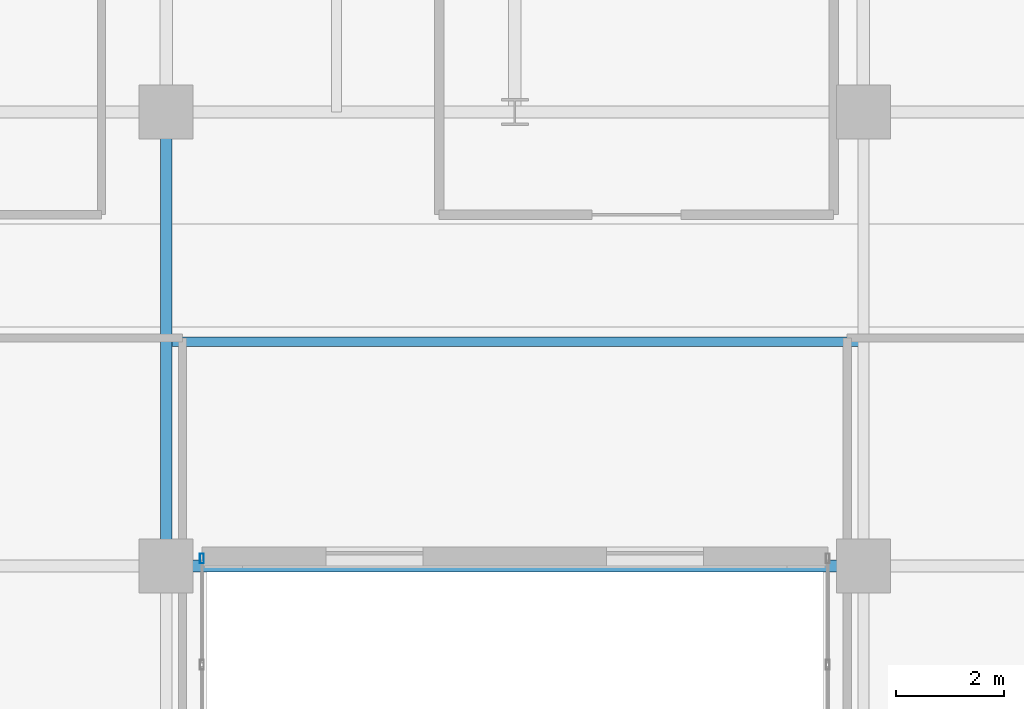
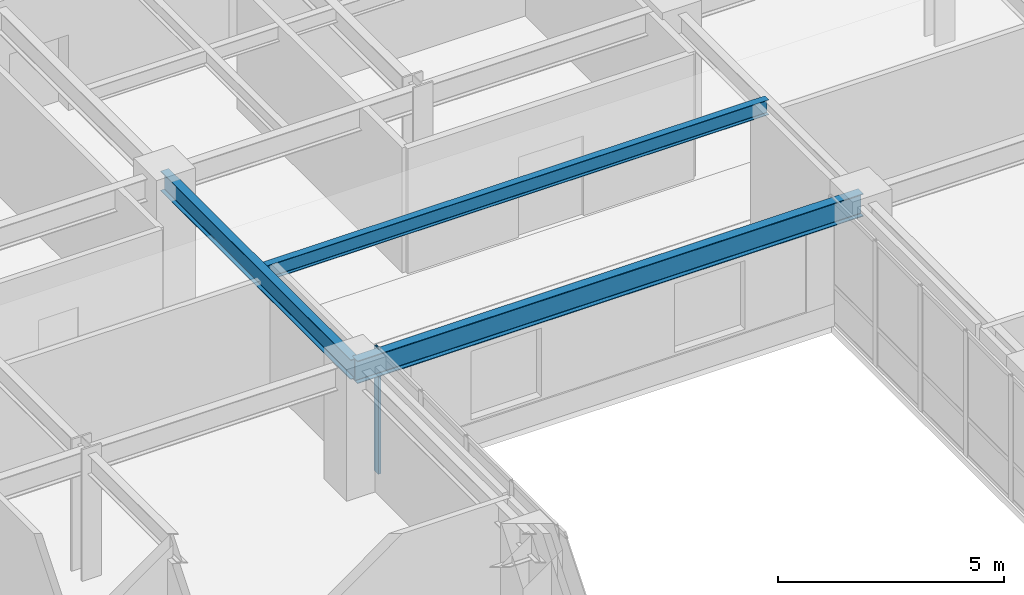
# One storey, part 5 of 25: 3 beams, 1 member, 1 element without a shape of its own.
"""IFC4 building model written with IfcOpenShell, lengths in metres."""

from ifc_helpers import new_model, si_unit, direction, frame, origin, origin_2d, place, context, subcontext, project, spatial, hollow_rectangle, i_section, extrude, source, transform, mapped, material, layer, layer_set, material_profile, profile_set, type_object, type_shapes, element, aggregate, save


model = new_model("IFC4")

# Units and contexts
model_context = context("Model", 3, precision=1e-05, world=origin(), true_north=direction((0.0, 1.0)))
body_context = subcontext(model_context, "Body", "Model", "MODEL_VIEW")
ifc_project = project(units=[si_unit("LENGTHUNIT", "METRE"), si_unit("AREAUNIT", "SQUARE_METRE"), si_unit("VOLUMEUNIT", "CUBIC_METRE"), si_unit("PLANEANGLEUNIT", "RADIAN"), si_unit("MASSUNIT", "GRAM", prefix="KILO")], contexts=[model_context])

# Site, building, storey
site_placement = place(None, origin())
site = spatial("IfcSite", under=ifc_project, at=site_placement, CompositionType="ELEMENT")
building_placement = place(site_placement, origin())
building = spatial("IfcBuilding", under=site, at=building_placement, Name="Tolvann Quenvar Hotel", CompositionType="ELEMENT")
storey_placement = place(building_placement, frame((0.0, 0.0, 60.39990234375)))
storey = spatial("IfcBuildingStorey", under=building, at=storey_placement, Name="L14", CompositionType="ELEMENT", Elevation=60.39990234375)

# Beams
ifc_material_1 = material(Name="Steel Grade 350", Category="steel")
ifc_material_profile_1 = material_profile(ifc_material_1, i_section(OverallWidth=0.22900390625, OverallDepth=0.612060546875, WebThickness=0.011962890625, FlangeThickness=0.01953125, FilletRadius=0.013916015625, at=origin_2d()), Name="610UB125")
ifc_profile_set_1 = profile_set([ifc_material_profile_1], Name="Steel Grade 350")
beam_type_1 = type_object("IfcBeamType", Name="BM_GIRD_610UB125", PredefinedType="BEAM", material=ifc_profile_set_1)
shared_shape_1 = source(origin(), body_context, "Body", "SweptSolid", [
    extrude(i_section(OverallWidth=0.22900390625, OverallDepth=0.612060546875, WebThickness=0.011962890625, FlangeThickness=0.01953125, FilletRadius=0.013916015625, at=origin_2d()), origin(), (0.0, 0.0, 1.0), 12.89990234375),
])
type_shapes(beam_type_1, [shared_shape_1])
beam_1_placement = place(storey_placement, frame((22.050048828125, 16.0, 3.064208984375), z_axis=(1.0, 0.0, 0.0), x_axis=(0.0, 1.0, 0.0)))
element("IfcBeam", 1, at=beam_1_placement, inside=storey, type_object=beam_type_1, Name="BM-L14-EW-4-E4-F4", PredefinedType="BEAM", context=body_context, shape_type="MappedRepresentation", body=[
    mapped(shared_shape_1, transform((0.0, 0.0, 0.0), x_axis=(1.0, 0.0, 0.0), y_axis=(0.0, 1.0, 0.0), z_axis=(0.0, 0.0, 1.0), scale=1.0)),
])
ifc_material_profile_2 = material_profile(ifc_material_1, i_section(OverallWidth=0.208984375, OverallDepth=0.532958984375, WebThickness=0.01025390625, FlangeThickness=0.015625, FilletRadius=0.013916015625, at=origin_2d()), Name="530UB92")
ifc_profile_set_2 = profile_set([ifc_material_profile_2], Name="Steel Grade 350")
beam_type_2 = type_object("IfcBeamType", Name="BM_GIRD_530UB92", PredefinedType="BEAM", material=ifc_profile_set_2)
shared_shape_2 = source(origin(), body_context, "Body", "SweptSolid", [
    extrude(i_section(OverallWidth=0.208984375, OverallDepth=0.532958984375, WebThickness=0.01025390625, FlangeThickness=0.015625, FilletRadius=0.013916015625, at=origin_2d()), origin(), (0.0, 0.0, 1.0), 8.39990234375),
])
type_shapes(beam_type_2, [shared_shape_2])
beam_2_placement = place(storey_placement, frame((22.050048828125, 16.0, 3.103515625), z_axis=(0.0, 1.0, 0.0), x_axis=(-1.0, 0.0, 0.0)))
element("IfcBeam", 2, at=beam_2_placement, inside=storey, type_object=beam_type_2, Name="BM-L14-NS-E4-E5", PredefinedType="BEAM", context=body_context, shape_type="MappedRepresentation", body=[
    mapped(shared_shape_2, transform((0.0, 0.0, 0.0), x_axis=(1.0, 0.0, 0.0), y_axis=(0.0, 1.0, 0.0), z_axis=(0.0, 0.0, 1.0), scale=1.0)),
])
ifc_material_profile_3 = material_profile(ifc_material_1, i_section(OverallWidth=0.177978515625, OverallDepth=0.406005859375, WebThickness=0.0078125, FlangeThickness=0.0126953125, FilletRadius=0.011474609375, at=origin_2d()), Name="410UB60")
ifc_profile_set_3 = profile_set([ifc_material_profile_3], Name="Steel Grade 350")
beam_type_3 = type_object("IfcBeamType", Name="BM_JOIST_410UB60", PredefinedType="JOIST", material=ifc_profile_set_3)
shared_shape_3 = source(origin(), body_context, "Body", "SweptSolid", [
    extrude(i_section(OverallWidth=0.177978515625, OverallDepth=0.406005859375, WebThickness=0.0078125, FlangeThickness=0.0126953125, FilletRadius=0.011474609375, at=origin_2d()), origin(), (0.0, 0.0, 1.0), 12.89990234375),
])
type_shapes(beam_type_3, [shared_shape_3])
beam_3_placement = place(storey_placement, frame((22.050048828125, 20.14990234375, 3.1669921875), z_axis=(1.0, 0.0, 0.0), x_axis=(0.0, 1.0, 0.0)))
element("IfcBeam", 3, at=beam_3_placement, inside=storey, type_object=beam_type_3, Name="BM-L14-SPINE-20", PredefinedType="JOIST", context=body_context, shape_type="MappedRepresentation", body=[
    mapped(shared_shape_3, transform((0.0, 0.0, 0.0), x_axis=(1.0, 0.0, 0.0), y_axis=(0.0, 1.0, 0.0), z_axis=(0.0, 0.0, 1.0), scale=1.0)),
])

# Curtain wall, member
ifc_material_2 = material(Name="Thermally broken anodised architectural aluminium 6063-T6 and laminated low-E glass", Category="aluminium")
ifc_layer = layer(ifc_material_2, 0.179931640625)
ifc_layer_set = layer_set([ifc_layer], Name="Thermally broken anodised architectural aluminium 6063-T6 and laminated low-E glass")
curtain_wall_type = type_object("IfcCurtainWallType", Name="CW_SYS_SLOT_03", PredefinedType="USERDEFINED", material=ifc_layer_set)
curtain_wall_placement = place(storey_placement, origin())
curtain_wall = element("IfcCurtainWall", 4, at=curtain_wall_placement, inside=storey, type_object=curtain_wall_type, Name="Curtain Wall CW-SLOT-03 (CWR-L14-E05)", ObjectType="UNITISED CURTAIN WALL", PredefinedType="USERDEFINED")
ifc_material_3 = material(Name="Anodised architectural aluminium 6063-T6 framing", Category="aluminium")
ifc_material_profile_4 = material_profile(ifc_material_3, hollow_rectangle(XDim=0.070068359375, YDim=0.179931640625, WallThickness=0.00390625, at=origin_2d()), Name="180x70x4RHS")
ifc_profile_set_4 = profile_set([ifc_material_profile_4], Name="Anodised architectural aluminium 6063-T6 framing")
member_type = type_object("IfcMemberType", Name="CW_MULL_180x70", PredefinedType="MULLION", material=ifc_profile_set_4)
shared_shape_4 = source(origin(), body_context, "Body", "SweptSolid", [
    extrude(hollow_rectangle(XDim=0.070068359375, YDim=0.179931640625, WallThickness=0.00390625, at=origin_2d()), origin(), (0.0, 0.0, 1.0), 3.3701171875),
])
type_shapes(member_type, [shared_shape_4])
member_placement = place(storey_placement, frame((22.7099609375, 16.139892578125, 0.0), z_axis=(0.0, 0.0, 1.0), x_axis=(-1.0, 0.0, 0.0)))
member = element("IfcMember", 5, at=member_placement, type_object=member_type, Name="CW-SLOT-03 mullion 9", PredefinedType="MULLION", context=body_context, shape_type="MappedRepresentation", body=[
    mapped(shared_shape_4, transform((0.0, 0.0, 0.0), x_axis=(1.0, 0.0, 0.0), y_axis=(0.0, 1.0, 0.0), z_axis=(0.0, 0.0, 1.0), scale=1.0)),
])
aggregate(curtain_wall, [member])

save(model, "model.ifc")
